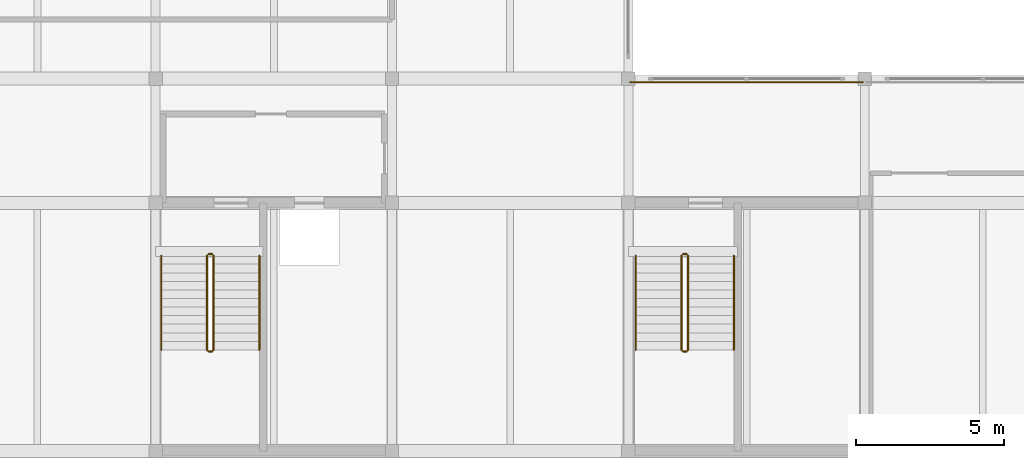
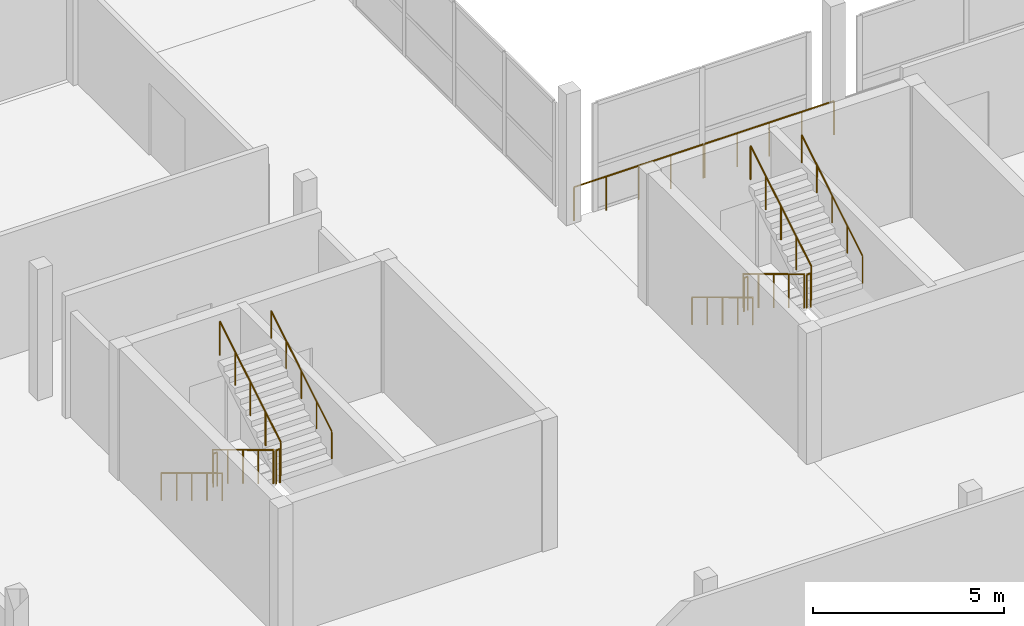
# One storey, part 47 of 53: 14 railings.
"""IFC4 building model written with IfcOpenShell, lengths in metres."""

from ifc_helpers import new_model, si_unit, direction, frame, origin, origin_2d, place, context, subcontext, project, spatial, circle, extrude, material, type_object, element, save


model = new_model("IFC4")

# Units and contexts
model_context = context("Model", 3, precision=1e-05, world=origin(), true_north=direction((0.0, 1.0)))
body_context = subcontext(model_context, "Body", "Model", "MODEL_VIEW")
ifc_project = project(units=[si_unit("LENGTHUNIT", "METRE"), si_unit("AREAUNIT", "SQUARE_METRE"), si_unit("VOLUMEUNIT", "CUBIC_METRE"), si_unit("PLANEANGLEUNIT", "RADIAN"), si_unit("MASSUNIT", "GRAM", prefix="KILO")], contexts=[model_context])

# Site, building, storey
site_placement = place(None, origin())
site = spatial("IfcSite", under=ifc_project, at=site_placement, CompositionType="ELEMENT")
building_placement = place(site_placement, origin())
building = spatial("IfcBuilding", under=site, at=building_placement, Name="Vharandega Faculty of Natural Sciences", CompositionType="ELEMENT")
storey_placement = place(building_placement, frame((0.0, 0.0, 10.199951171875)))
storey = spatial("IfcBuildingStorey", under=building, at=storey_placement, Name="L02", CompositionType="ELEMENT", Elevation=10.199951171875)

# Railings
ifc_material_1 = material(Name="Timber-capped steel and glass balustrade", Category="steel")
railing_type_1 = type_object("IfcRailingType", Name="Atrium Void Balustrade 1100", PredefinedType="BALUSTRADE", material=ifc_material_1)
for number, where, name in (
    (1, (24.06494140625, 84.8798828125, 0.0), "Atrium Glass Balustrade L02 #1"),
    (2, (28.02490234375, 84.8798828125, 0.0), "Atrium Glass Balustrade L02 #2"),
):
    element("IfcRailing", number, at=place(storey_placement, frame(where)), inside=storey, type_object=railing_type_1, Name=name, PredefinedType="BALUSTRADE", context=body_context, shape_type="SweptSolid", body=[
        extrude(circle(Radius=0.02392578125, at=origin_2d()), frame((0.0, 0.0, 1.076171875), z_axis=(1.0, 0.0, 0.0), x_axis=(0.0, 1.0, 0.0)), (0.0, 0.0, 1.0), 3.91015625),
        extrude(circle(Radius=0.02099609375, at=origin_2d()), origin(), (0.0, 0.0, 1.0), 1.052001953125),
        extrude(circle(Radius=0.02099609375, at=origin_2d()), frame((0.9775390625, 0.0, 0.0)), (0.0, 0.0, 1.0), 1.052001953125),
        extrude(circle(Radius=0.02099609375, at=origin_2d()), frame((1.955078125, 0.0, 0.0)), (0.0, 0.0, 1.0), 1.052001953125),
        extrude(circle(Radius=0.02099609375, at=origin_2d()), frame((2.9326171875, 0.0, 0.0)), (0.0, 0.0, 1.0), 1.052001953125),
        extrude(circle(Radius=0.02099609375, at=origin_2d()), frame((3.91015625, 0.0, 0.0)), (0.0, 0.0, 1.0), 1.052001953125),
    ])
ifc_material_2 = material(Name="Brushed stainless steel handrail", Category="steel")
railing_type_2 = type_object("IfcRailingType", Name="Stair Tubular Handrail 900", PredefinedType="HANDRAIL", material=ifc_material_2)
railing_1_placement = place(storey_placement, frame((8.18994140625, 79.010009765625, 0.175048828125)))
element("IfcRailing", 3, at=railing_1_placement, inside=storey, type_object=railing_type_2, Name="L02 ST4 stair handrail 1", PredefinedType="HANDRAIL", context=body_context, shape_type="SweptSolid", body=[
    extrude(circle(Radius=0.02392578125, at=origin_2d()), frame((0.0, 0.0, 0.8759765625), z_axis=(0.0, -0.856177665481, 0.516681531633), x_axis=(1.0, 0.0, 0.0)), (0.0, 0.0, 1.0), 3.725830078125),
    extrude(circle(Radius=0.02099609375, at=origin_2d()), origin(), (0.0, 0.0, 1.0), 0.851806640625),
    extrude(circle(Radius=0.02099609375, at=origin_2d()), frame((0.0, -0.79736328125, 0.481201171875)), (0.0, 0.0, 1.0), 0.851806640625),
    extrude(circle(Radius=0.02099609375, at=origin_2d()), frame((0.0, -1.594970703125, 0.96240234375)), (0.0, 0.0, 1.0), 0.851806640625),
    extrude(circle(Radius=0.02099609375, at=origin_2d()), frame((0.0, -2.392578125, 1.44384765625)), (0.0, 0.0, 1.0), 0.851806640625),
    extrude(circle(Radius=0.02099609375, at=origin_2d()), frame((0.0, -3.18994140625, 1.925048828125)), (0.0, 0.0, 1.0), 0.851806640625),
])
railing_2_placement = place(storey_placement, frame((11.510009765625, 75.820068359375, 2.275146484375)))
element("IfcRailing", 4, at=railing_2_placement, inside=storey, type_object=railing_type_2, Name="L02 ST4 stair handrail 2", PredefinedType="HANDRAIL", context=body_context, shape_type="SweptSolid", body=[
    extrude(circle(Radius=0.02392578125, at=origin_2d()), frame((0.0, 0.0, 0.8759765625), z_axis=(0.0, 0.856206652436, 0.516633495163), x_axis=(-1.0, 0.0, 0.0)), (0.0, 0.0, 1.0), 3.7255859375),
    extrude(circle(Radius=0.02099609375, at=origin_2d()), origin(), (0.0, 0.0, 1.0), 0.851806640625),
    extrude(circle(Radius=0.02099609375, at=origin_2d()), frame((0.0, 0.79736328125, 0.481201171875)), (0.0, 0.0, 1.0), 0.851806640625),
    extrude(circle(Radius=0.02099609375, at=origin_2d()), frame((0.0, 1.594970703125, 0.96240234375)), (0.0, 0.0, 1.0), 0.851806640625),
    extrude(circle(Radius=0.02099609375, at=origin_2d()), frame((0.0, 2.392578125, 1.443603515625)), (0.0, 0.0, 1.0), 0.851806640625),
    extrude(circle(Radius=0.02099609375, at=origin_2d()), frame((0.0, 3.18994140625, 1.9248046875)), (0.0, 0.0, 1.0), 0.851806640625),
])
railing_3_placement = place(storey_placement, frame((24.25, 79.010009765625, 0.175048828125)))
element("IfcRailing", 5, at=railing_3_placement, inside=storey, type_object=railing_type_2, Name="L02 ST6 stair handrail 1", PredefinedType="HANDRAIL", context=body_context, shape_type="SweptSolid", body=[
    extrude(circle(Radius=0.02392578125, at=origin_2d()), frame((0.0, 0.0, 0.8759765625), z_axis=(0.0, -0.856177665481, 0.516681531633), x_axis=(1.0, 0.0, 0.0)), (0.0, 0.0, 1.0), 3.725830078125),
    extrude(circle(Radius=0.02099609375, at=origin_2d()), origin(), (0.0, 0.0, 1.0), 0.851806640625),
    extrude(circle(Radius=0.02099609375, at=origin_2d()), frame((0.0, -0.79736328125, 0.481201171875)), (0.0, 0.0, 1.0), 0.851806640625),
    extrude(circle(Radius=0.02099609375, at=origin_2d()), frame((0.0, -1.594970703125, 0.96240234375)), (0.0, 0.0, 1.0), 0.851806640625),
    extrude(circle(Radius=0.02099609375, at=origin_2d()), frame((0.0, -2.392578125, 1.44384765625)), (0.0, 0.0, 1.0), 0.851806640625),
    extrude(circle(Radius=0.02099609375, at=origin_2d()), frame((0.0, -3.18994140625, 1.925048828125)), (0.0, 0.0, 1.0), 0.851806640625),
])
railing_4_placement = place(storey_placement, frame((27.570068359375, 75.820068359375, 2.275146484375)))
element("IfcRailing", 6, at=railing_4_placement, inside=storey, type_object=railing_type_2, Name="L02 ST6 stair handrail 2", PredefinedType="HANDRAIL", context=body_context, shape_type="SweptSolid", body=[
    extrude(circle(Radius=0.02392578125, at=origin_2d()), frame((0.0, 0.0, 0.8759765625), z_axis=(0.0, 0.856206652436, 0.516633495163), x_axis=(-1.0, 0.0, 0.0)), (0.0, 0.0, 1.0), 3.7255859375),
    extrude(circle(Radius=0.02099609375, at=origin_2d()), origin(), (0.0, 0.0, 1.0), 0.851806640625),
    extrude(circle(Radius=0.02099609375, at=origin_2d()), frame((0.0, 0.79736328125, 0.481201171875)), (0.0, 0.0, 1.0), 0.851806640625),
    extrude(circle(Radius=0.02099609375, at=origin_2d()), frame((0.0, 1.594970703125, 0.96240234375)), (0.0, 0.0, 1.0), 0.851806640625),
    extrude(circle(Radius=0.02099609375, at=origin_2d()), frame((0.0, 2.392578125, 1.443603515625)), (0.0, 0.0, 1.0), 0.851806640625),
    extrude(circle(Radius=0.02099609375, at=origin_2d()), frame((0.0, 3.18994140625, 1.9248046875)), (0.0, 0.0, 1.0), 0.851806640625),
])
ifc_material_3 = material(Name="Painted steel stair guardrail", Category="steel")
railing_type_3 = type_object("IfcRailingType", Name="Stairwell Steel Guardrail 1100", PredefinedType="GUARDRAIL", material=ifc_material_3)
railing_5_placement = place(storey_placement, frame((9.739990234375, 79.010009765625, 0.175048828125)))
element("IfcRailing", 7, at=railing_5_placement, inside=storey, type_object=railing_type_3, Name="L02 ST4 stair guard 1", PredefinedType="GUARDRAIL", context=body_context, shape_type="SweptSolid", body=[
    extrude(circle(Radius=0.02392578125, at=origin_2d()), frame((0.0, 0.0, 1.076171875), z_axis=(0.0, -0.856177665481, 0.516681531633), x_axis=(1.0, 0.0, 0.0)), (0.0, 0.0, 1.0), 3.725830078125),
    extrude(circle(Radius=0.02099609375, at=origin_2d()), origin(), (0.0, 0.0, 1.0), 1.052001953125),
    extrude(circle(Radius=0.02099609375, at=origin_2d()), frame((0.0, -0.79736328125, 0.481201171875)), (0.0, 0.0, 1.0), 1.052001953125),
    extrude(circle(Radius=0.02099609375, at=origin_2d()), frame((0.0, -1.594970703125, 0.96240234375)), (0.0, 0.0, 1.0), 1.052001953125),
    extrude(circle(Radius=0.02099609375, at=origin_2d()), frame((0.0, -2.392578125, 1.44384765625)), (0.0, 0.0, 1.0), 1.052001953125),
    extrude(circle(Radius=0.02099609375, at=origin_2d()), frame((0.0, -3.18994140625, 1.925048828125)), (0.0, 0.0, 1.0), 1.052001953125),
])
railing_6_placement = place(storey_placement, frame((9.7900390625, 75.77001953125, 2.10009765625)))
element("IfcRailing", 8, at=railing_6_placement, inside=storey, type_object=railing_type_3, Name="L02 ST4 stair guard 2", PredefinedType="GUARDRAIL", context=body_context, shape_type="SweptSolid", body=[
    extrude(circle(Radius=0.02392578125, at=origin_2d()), frame((0.0, 0.0, 1.076171875), z_axis=(1.0, 0.0, 0.0), x_axis=(0.0, 1.0, 0.0)), (0.0, 0.0, 1.0), 0.119873046875),
    extrude(circle(Radius=0.02099609375, at=origin_2d()), origin(), (0.0, 0.0, 1.0), 1.052001953125),
    extrude(circle(Radius=0.02099609375, at=origin_2d()), frame((0.119873046875, 0.0, 0.0)), (0.0, 0.0, 1.0), 1.052001953125),
])
railing_7_placement = place(storey_placement, frame((9.9599609375, 75.820068359375, 2.275146484375)))
element("IfcRailing", 9, at=railing_7_placement, inside=storey, type_object=railing_type_3, Name="L02 ST4 stair guard 3", PredefinedType="GUARDRAIL", context=body_context, shape_type="SweptSolid", body=[
    extrude(circle(Radius=0.02392578125, at=origin_2d()), frame((0.0, 0.0, 1.076171875), z_axis=(0.0, 0.856206652436, 0.516633495163), x_axis=(-1.0, 0.0, 0.0)), (0.0, 0.0, 1.0), 3.7255859375),
    extrude(circle(Radius=0.02099609375, at=origin_2d()), origin(), (0.0, 0.0, 1.0), 1.052001953125),
    extrude(circle(Radius=0.02099609375, at=origin_2d()), frame((0.0, 0.79736328125, 0.481201171875)), (0.0, 0.0, 1.0), 1.052001953125),
    extrude(circle(Radius=0.02099609375, at=origin_2d()), frame((0.0, 1.594970703125, 0.96240234375)), (0.0, 0.0, 1.0), 1.052001953125),
    extrude(circle(Radius=0.02099609375, at=origin_2d()), frame((0.0, 2.392578125, 1.443603515625)), (0.0, 0.0, 1.0), 1.052001953125),
    extrude(circle(Radius=0.02099609375, at=origin_2d()), frame((0.0, 3.18994140625, 1.9248046875)), (0.0, 0.0, 1.0), 1.052001953125),
])
railing_8_placement = place(storey_placement, frame((9.7900390625, 79.06005859375, 0.0)))
element("IfcRailing", 10, at=railing_8_placement, inside=storey, type_object=railing_type_3, Name="L02 ST4 stair guard 4", PredefinedType="GUARDRAIL", context=body_context, shape_type="SweptSolid", body=[
    extrude(circle(Radius=0.02392578125, at=origin_2d()), frame((0.0, 0.0, 1.076171875), z_axis=(1.0, 0.0, 0.0), x_axis=(0.0, 1.0, 0.0)), (0.0, 0.0, 1.0), 0.119873046875),
    extrude(circle(Radius=0.02099609375, at=origin_2d()), origin(), (0.0, 0.0, 1.0), 1.052001953125),
    extrude(circle(Radius=0.02099609375, at=origin_2d()), frame((0.119873046875, 0.0, 0.0)), (0.0, 0.0, 1.0), 1.052001953125),
])
railing_9_placement = place(storey_placement, frame((25.800048828125, 79.010009765625, 0.175048828125)))
element("IfcRailing", 11, at=railing_9_placement, inside=storey, type_object=railing_type_3, Name="L02 ST6 stair guard 1", PredefinedType="GUARDRAIL", context=body_context, shape_type="SweptSolid", body=[
    extrude(circle(Radius=0.02392578125, at=origin_2d()), frame((0.0, 0.0, 1.076171875), z_axis=(0.0, -0.856177665481, 0.516681531633), x_axis=(1.0, 0.0, 0.0)), (0.0, 0.0, 1.0), 3.725830078125),
    extrude(circle(Radius=0.02099609375, at=origin_2d()), origin(), (0.0, 0.0, 1.0), 1.052001953125),
    extrude(circle(Radius=0.02099609375, at=origin_2d()), frame((0.0, -0.79736328125, 0.481201171875)), (0.0, 0.0, 1.0), 1.052001953125),
    extrude(circle(Radius=0.02099609375, at=origin_2d()), frame((0.0, -1.594970703125, 0.96240234375)), (0.0, 0.0, 1.0), 1.052001953125),
    extrude(circle(Radius=0.02099609375, at=origin_2d()), frame((0.0, -2.392578125, 1.44384765625)), (0.0, 0.0, 1.0), 1.052001953125),
    extrude(circle(Radius=0.02099609375, at=origin_2d()), frame((0.0, -3.18994140625, 1.925048828125)), (0.0, 0.0, 1.0), 1.052001953125),
])
railing_10_placement = place(storey_placement, frame((25.85009765625, 75.77001953125, 2.10009765625)))
element("IfcRailing", 12, at=railing_10_placement, inside=storey, type_object=railing_type_3, Name="L02 ST6 stair guard 2", PredefinedType="GUARDRAIL", context=body_context, shape_type="SweptSolid", body=[
    extrude(circle(Radius=0.02392578125, at=origin_2d()), frame((0.0, 0.0, 1.076171875), z_axis=(1.0, 0.0, 0.0), x_axis=(0.0, 1.0, 0.0)), (0.0, 0.0, 1.0), 0.119873046875),
    extrude(circle(Radius=0.02099609375, at=origin_2d()), origin(), (0.0, 0.0, 1.0), 1.052001953125),
    extrude(circle(Radius=0.02099609375, at=origin_2d()), frame((0.119873046875, 0.0, 0.0)), (0.0, 0.0, 1.0), 1.052001953125),
])
railing_11_placement = place(storey_placement, frame((26.02001953125, 75.820068359375, 2.275146484375)))
element("IfcRailing", 13, at=railing_11_placement, inside=storey, type_object=railing_type_3, Name="L02 ST6 stair guard 3", PredefinedType="GUARDRAIL", context=body_context, shape_type="SweptSolid", body=[
    extrude(circle(Radius=0.02392578125, at=origin_2d()), frame((0.0, 0.0, 1.076171875), z_axis=(0.0, 0.856206652436, 0.516633495163), x_axis=(-1.0, 0.0, 0.0)), (0.0, 0.0, 1.0), 3.7255859375),
    extrude(circle(Radius=0.02099609375, at=origin_2d()), origin(), (0.0, 0.0, 1.0), 1.052001953125),
    extrude(circle(Radius=0.02099609375, at=origin_2d()), frame((0.0, 0.79736328125, 0.481201171875)), (0.0, 0.0, 1.0), 1.052001953125),
    extrude(circle(Radius=0.02099609375, at=origin_2d()), frame((0.0, 1.594970703125, 0.96240234375)), (0.0, 0.0, 1.0), 1.052001953125),
    extrude(circle(Radius=0.02099609375, at=origin_2d()), frame((0.0, 2.392578125, 1.443603515625)), (0.0, 0.0, 1.0), 1.052001953125),
    extrude(circle(Radius=0.02099609375, at=origin_2d()), frame((0.0, 3.18994140625, 1.9248046875)), (0.0, 0.0, 1.0), 1.052001953125),
])
railing_12_placement = place(storey_placement, frame((25.85009765625, 79.06005859375, 0.0)))
element("IfcRailing", 14, at=railing_12_placement, inside=storey, type_object=railing_type_3, Name="L02 ST6 stair guard 4", PredefinedType="GUARDRAIL", context=body_context, shape_type="SweptSolid", body=[
    extrude(circle(Radius=0.02392578125, at=origin_2d()), frame((0.0, 0.0, 1.076171875), z_axis=(1.0, 0.0, 0.0), x_axis=(0.0, 1.0, 0.0)), (0.0, 0.0, 1.0), 0.119873046875),
    extrude(circle(Radius=0.02099609375, at=origin_2d()), origin(), (0.0, 0.0, 1.0), 1.052001953125),
    extrude(circle(Radius=0.02099609375, at=origin_2d()), frame((0.119873046875, 0.0, 0.0)), (0.0, 0.0, 1.0), 1.052001953125),
])

save(model, "model.ifc")
